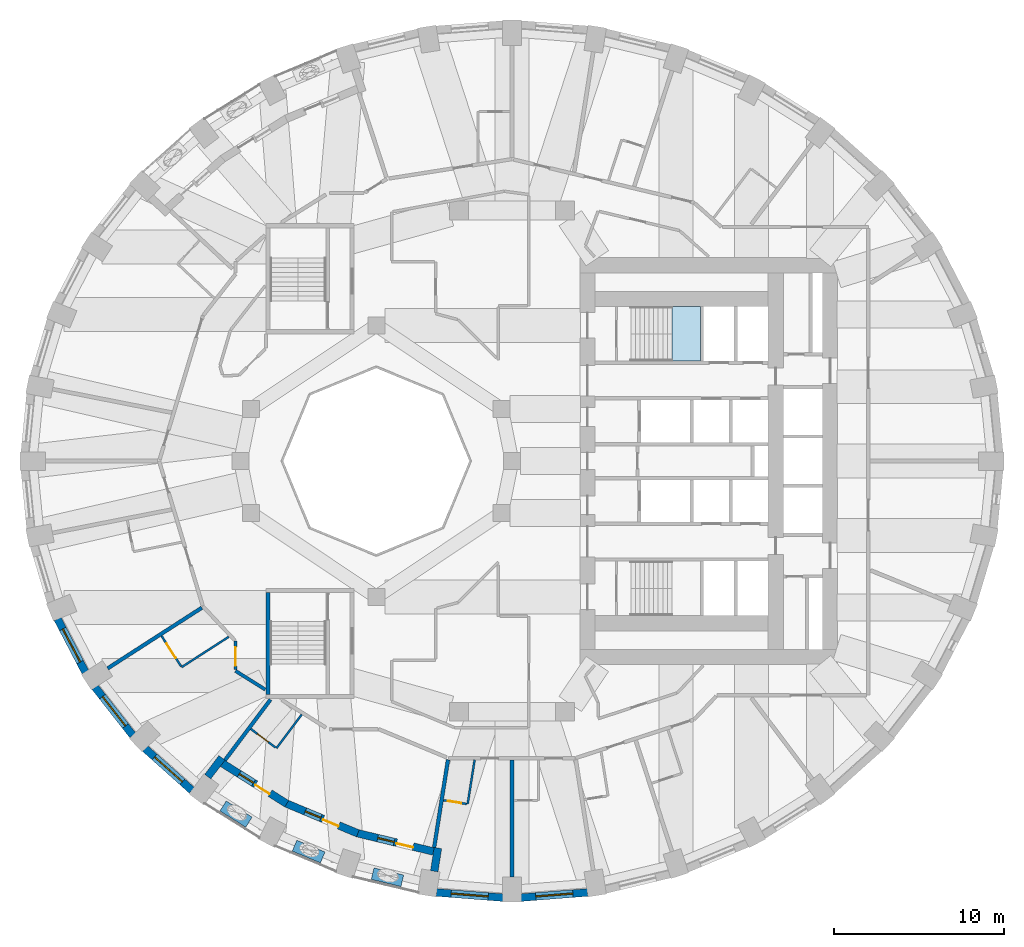
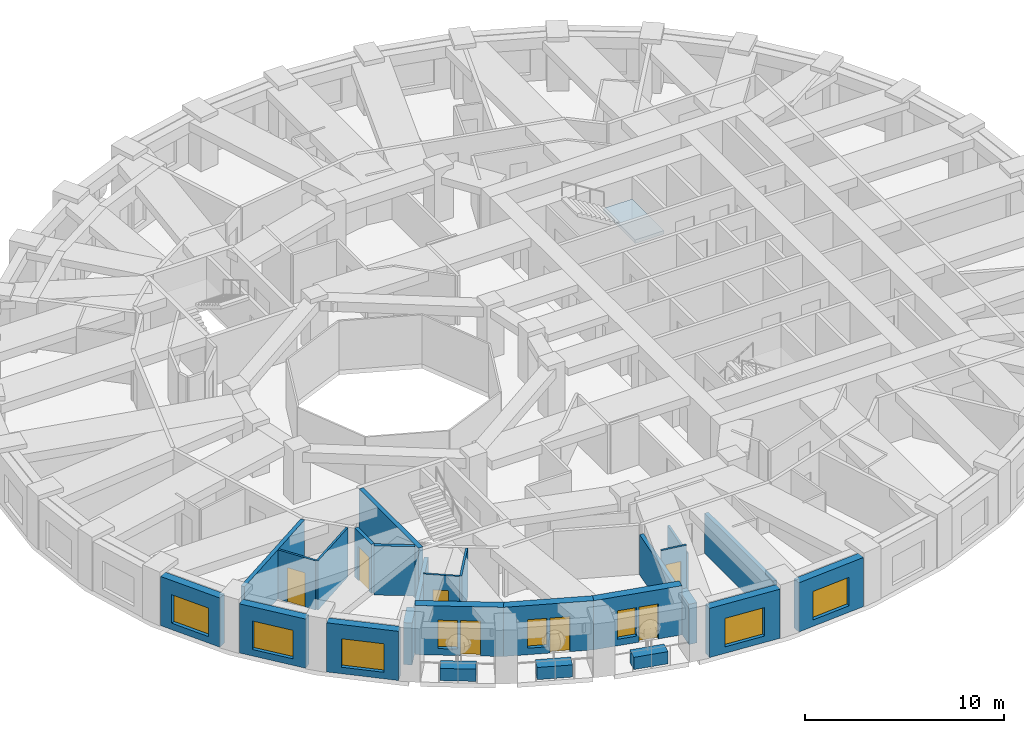
# One storey, part 3 of 13: 26 walls, 8 windows, 7 doors, 1 slab, 15 openings, 1 element without a shape of its own.
"""IFC4 building model written with IfcOpenShell, lengths in metres."""

from ifc_helpers import new_model, si_unit, direction, frame, frame_2d, origin, place, context, subcontext, project, spatial, polyline, rectangle, outline, extrude, material, layer, layer_set, constituent, constituent_set, type_object, element, fill, aggregate, save


model = new_model("IFC4")

# Units and contexts
model_context = context("Model", 3, precision=1e-05, world=origin(), true_north=direction((0.0, 1.0)))
body_context = subcontext(model_context, "Body", "Model", "MODEL_VIEW")
ifc_project = project(units=[si_unit("LENGTHUNIT", "METRE"), si_unit("AREAUNIT", "SQUARE_METRE"), si_unit("VOLUMEUNIT", "CUBIC_METRE"), si_unit("PLANEANGLEUNIT", "RADIAN"), si_unit("MASSUNIT", "GRAM", prefix="KILO")], contexts=[model_context])

# Site, building, storey
site_placement = place(None, origin())
site = spatial("IfcSite", under=ifc_project, at=site_placement, CompositionType="ELEMENT")
building_placement = place(site_placement, origin())
building = spatial("IfcBuilding", under=site, at=building_placement, Name="Taillehof Tower", CompositionType="ELEMENT")
storey_placement = place(building_placement, frame((0.0, 0.0, 44.800048828125)))
storey = spatial("IfcBuildingStorey", under=building, at=storey_placement, Name="L11", CompositionType="ELEMENT", Elevation=44.800048828125)

# Stair, slab
ifc_material_1 = material(Name="Concrete C40/50", Category="concrete")
stair_type = type_object("IfcStairType", Name="Exit stair half-turn", PredefinedType="HALF_TURN_STAIR", material=ifc_material_1)
stair_placement = place(storey_placement, origin())
stair = element("IfcStair", 1, at=stair_placement, inside=storey, type_object=stair_type, Name="Exit stair S1", PredefinedType="HALF_TURN_STAIR")
ifc_material_2 = material(Name="Concrete C40/50", Category="concrete")
ifc_layer_1 = layer(ifc_material_2, 0.2099609375)
ifc_layer_set_1 = layer_set([ifc_layer_1], Name="Stair landing C40/50 210")
slab_type = type_object("IfcSlabType", Name="Stair landing C40/50 210", PredefinedType="LANDING", material=ifc_layer_set_1)
slab_placement = place(storey_placement, frame((0.0, 0.0, 1.43994140625)))
slab = element("IfcSlab", 2, at=slab_placement, type_object=slab_type, Name="S1 landing 1", PredefinedType="LANDING", context=body_context, shape_type="SweptSolid", body=[
    extrude(outline(polyline([(9.429931640625, 5.89990234375), (11.10009765625, 5.89990234375), (11.10009765625, 9.10009765625), (9.429931640625, 9.10009765625), (9.429931640625, 5.89990234375)])), origin(), (0.0, 0.0, 1.0), 0.2099609375),
])
aggregate(stair, [slab])

# Wall, opening, window
ifc_material_3 = material(Name="Brick masonry", Category="masonry")
ifc_layer_2 = layer(ifc_material_3, 0.449951171875)
ifc_layer_set_2 = layer_set([ifc_layer_2], Name="Brick infill wall 450")
wall_type_1 = type_object("IfcWallType", Name="Brick infill wall 450", PredefinedType="SOLIDWALL", material=ifc_layer_set_2)
wall_1_placement = place(storey_placement, frame((-26.78564453125, -9.30517578125, 0.0), z_axis=(0.0, 0.0, 1.0), x_axis=(0.462492775226, -0.886623050041, 0.0)))
wall_1 = element("IfcWall", 3, at=wall_1_placement, inside=storey, type_object=wall_type_1, Name="Brick wall L11 bay 21", PredefinedType="SOLIDWALL", context=body_context, shape_type="SweptSolid", body=[
    extrude(rectangle(XDim=3.531982421875, YDim=0.449951171875, at=frame_2d((1.76611328125, 0.0))), origin(), (0.0, 0.0, 1.0), 3.02001953125),
])
opening_1_placement = place(wall_1_placement, frame((0.666015625, 0.0, 0.39990234375)))
opening_1 = element("IfcOpeningElement", 4, at=opening_1_placement, cuts=wall_1, Name="Opening W1", PredefinedType="OPENING", context=body_context, shape_type="SweptSolid", body=[
    extrude(rectangle(XDim=2.199951171875, YDim=1.75, at=frame_2d((1.10009765625, 0.875))), frame((0.0, 0.23486328125, 0.0), z_axis=(0.0, -1.0, 0.0), x_axis=(1.0, 0.0, 0.0)), (0.0, 0.0, 1.0), 0.469970703125),
])
ifc_material_4 = material(Name="Aluminium window frame with clear double glazing", Category="aluminium")
window_type_1 = type_object("IfcWindowType", Name="Deep-set window 2200x1750", PartitioningType="SINGLE_PANEL", PredefinedType="WINDOW", material=ifc_material_4)
window_1_placement = place(opening_1_placement, origin())
window_1 = element("IfcWindow", 5, at=window_1_placement, inside=storey, type_object=window_type_1, Name="W1", OverallHeight=1.75, OverallWidth=2.199951171875, PartitioningType="SINGLE_PANEL", PredefinedType="WINDOW", context=body_context, shape_type="SweptSolid", body=[
    extrude(rectangle(XDim=2.199951171875, YDim=1.75, at=frame_2d((1.10009765625, 0.875))), frame((0.0, 0.034912109375, 0.0), z_axis=(0.0, -1.0, 0.0), x_axis=(1.0, 0.0, 0.0)), (0.0, 0.0, 1.0), 0.06005859375),
])
fill(opening_1, window_1)

wall_2_placement = place(storey_placement, frame((-24.57763671875, -13.327880859375, 0.0), z_axis=(0.0, 0.0, 1.0), x_axis=(0.616661975264, -0.787228053529, 0.0)))
wall_2 = element("IfcWall", 6, at=wall_2_placement, inside=storey, type_object=wall_type_1, Name="Brick wall L11 bay 22", PredefinedType="SOLIDWALL", context=body_context, shape_type="SweptSolid", body=[
    extrude(rectangle(XDim=3.60986328125, YDim=0.449951171875, at=frame_2d((1.804931640625, 0.0))), origin(), (0.0, 0.0, 1.0), 3.02001953125),
])
opening_2_placement = place(wall_2_placement, frame((0.704833984375, 0.0, 0.39990234375)))
opening_2 = element("IfcOpeningElement", 7, at=opening_2_placement, cuts=wall_2, Name="Opening W1", PredefinedType="OPENING", context=body_context, shape_type="SweptSolid", body=[
    extrude(rectangle(XDim=2.199951171875, YDim=1.75, at=frame_2d((1.10009765625, 0.875))), frame((0.0, 0.23486328125, 0.0), z_axis=(0.0, -1.0, 0.0), x_axis=(1.0, 0.0, 0.0)), (0.0, 0.0, 1.0), 0.469970703125),
])
window_2_placement = place(opening_2_placement, origin())
window_2 = element("IfcWindow", 8, at=window_2_placement, inside=storey, type_object=window_type_1, Name="W1", OverallHeight=1.75, OverallWidth=2.199951171875, PartitioningType="SINGLE_PANEL", PredefinedType="WINDOW", context=body_context, shape_type="SweptSolid", body=[
    extrude(rectangle(XDim=2.199951171875, YDim=1.75, at=frame_2d((1.10009765625, 0.875))), frame((0.0, 0.034912109375, 0.0), z_axis=(0.0, -1.0, 0.0), x_axis=(1.0, 0.0, 0.0)), (0.0, 0.0, 1.0), 0.06005859375),
])
fill(opening_2, window_2)

wall_3_placement = place(storey_placement, frame((-21.626708984375, -16.943115234375, 0.0), z_axis=(0.0, 0.0, 1.0), x_axis=(0.745526233716, -0.66647628228, 0.0)))
wall_3 = element("IfcWall", 9, at=wall_3_placement, inside=storey, type_object=wall_type_1, Name="Brick wall L11 bay 23", PredefinedType="SOLIDWALL", context=body_context, shape_type="SweptSolid", body=[
    extrude(rectangle(XDim=3.69677734375, YDim=0.449951171875, at=frame_2d((1.848388671875, 0.0))), origin(), (0.0, 0.0, 1.0), 3.02001953125),
])
opening_3_placement = place(wall_3_placement, frame((0.74853515625, 0.0, 0.39990234375)))
opening_3 = element("IfcOpeningElement", 10, at=opening_3_placement, cuts=wall_3, Name="Opening W1", PredefinedType="OPENING", context=body_context, shape_type="SweptSolid", body=[
    extrude(rectangle(XDim=2.199951171875, YDim=1.75, at=frame_2d((1.10009765625, 0.875))), frame((0.0, 0.23486328125, 0.0), z_axis=(0.0, -1.0, 0.0), x_axis=(1.0, 0.0, 0.0)), (0.0, 0.0, 1.0), 0.469970703125),
])
window_3_placement = place(opening_3_placement, origin())
window_3 = element("IfcWindow", 11, at=window_3_placement, inside=storey, type_object=window_type_1, Name="W1", OverallHeight=1.75, OverallWidth=2.199951171875, PartitioningType="SINGLE_PANEL", PredefinedType="WINDOW", context=body_context, shape_type="SweptSolid", body=[
    extrude(rectangle(XDim=2.199951171875, YDim=1.75, at=frame_2d((1.10009765625, 0.875))), frame((0.0, 0.034912109375, 0.0), z_axis=(0.0, -1.0, 0.0), x_axis=(1.0, 0.0, 0.0)), (0.0, 0.0, 1.0), 0.06005859375),
])
fill(opening_3, window_3)

wall_4_placement = place(storey_placement, frame((-4.457275390625, -25.42578125, 0.0), z_axis=(0.0, 0.0, 1.0), x_axis=(0.996955972145, -0.077966592873, 0.0)))
wall_4 = element("IfcWall", 12, at=wall_4_placement, inside=storey, type_object=wall_type_1, Name="Brick wall L11 bay 27", PredefinedType="SOLIDWALL", context=body_context, shape_type="SweptSolid", body=[
    extrude(rectangle(XDim=3.939208984375, YDim=0.449951171875, at=frame_2d((1.9697265625, 0.0))), origin(), (0.0, 0.0, 1.0), 3.02001953125),
])
opening_4_placement = place(wall_4_placement, frame((0.86962890625, 0.0, 0.39990234375)))
opening_4 = element("IfcOpeningElement", 13, at=opening_4_placement, cuts=wall_4, Name="Opening W1", PredefinedType="OPENING", context=body_context, shape_type="SweptSolid", body=[
    extrude(rectangle(XDim=2.199951171875, YDim=1.75, at=frame_2d((1.10009765625, 0.875))), frame((0.0, 0.23486328125, 0.0), z_axis=(0.0, -1.0, 0.0), x_axis=(1.0, 0.0, 0.0)), (0.0, 0.0, 1.0), 0.469970703125),
])
window_4_placement = place(opening_4_placement, origin())
window_4 = element("IfcWindow", 14, at=window_4_placement, inside=storey, type_object=window_type_1, Name="W1", OverallHeight=1.75, OverallWidth=2.199951171875, PartitioningType="SINGLE_PANEL", PredefinedType="WINDOW", context=body_context, shape_type="SweptSolid", body=[
    extrude(rectangle(XDim=2.199951171875, YDim=1.75, at=frame_2d((1.10009765625, 0.875))), frame((0.0, 0.034912109375, 0.0), z_axis=(0.0, -1.0, 0.0), x_axis=(1.0, 0.0, 0.0)), (0.0, 0.0, 1.0), 0.06005859375),
])
fill(opening_4, window_4)

wall_5_placement = place(storey_placement, frame((0.530029296875, -25.73291015625, 0.0), z_axis=(0.0, 0.0, 1.0), x_axis=(0.996955972145, 0.077966592873, 0.0)))
wall_5 = element("IfcWall", 15, at=wall_5_placement, inside=storey, type_object=wall_type_1, Name="Brick wall L11 bay 28", PredefinedType="SOLIDWALL", context=body_context, shape_type="SweptSolid", body=[
    extrude(rectangle(XDim=3.939208984375, YDim=0.449951171875, at=frame_2d((1.9697265625, 0.0))), origin(), (0.0, 0.0, 1.0), 3.02001953125),
])
opening_5_placement = place(wall_5_placement, frame((0.86962890625, 0.0, 0.39990234375)))
opening_5 = element("IfcOpeningElement", 16, at=opening_5_placement, cuts=wall_5, Name="Opening W1", PredefinedType="OPENING", context=body_context, shape_type="SweptSolid", body=[
    extrude(rectangle(XDim=2.199951171875, YDim=1.75, at=frame_2d((1.10009765625, 0.875))), frame((0.0, 0.23486328125, 0.0), z_axis=(0.0, -1.0, 0.0), x_axis=(1.0, 0.0, 0.0)), (0.0, 0.0, 1.0), 0.469970703125),
])
window_5_placement = place(opening_5_placement, origin())
window_5 = element("IfcWindow", 17, at=window_5_placement, inside=storey, type_object=window_type_1, Name="W1", OverallHeight=1.75, OverallWidth=2.199951171875, PartitioningType="SINGLE_PANEL", PredefinedType="WINDOW", context=body_context, shape_type="SweptSolid", body=[
    extrude(rectangle(XDim=2.199951171875, YDim=1.75, at=frame_2d((1.10009765625, 0.875))), frame((0.0, 0.034912109375, 0.0), z_axis=(0.0, -1.0, 0.0), x_axis=(1.0, 0.0, 0.0)), (0.0, 0.0, 1.0), 0.06005859375),
])
fill(opening_5, window_5)

# Walls
wall_6_placement = place(storey_placement, frame((-17.931640625, -18.60009765625, 0.0), z_axis=(0.0, 0.0, 1.0), x_axis=(0.601262851241, 0.799051302306, 0.0)))
element("IfcWall", 18, at=wall_6_placement, inside=storey, type_object=wall_type_1, Name="Brick reveal L11 pocket 7", PredefinedType="SOLIDWALL", context=body_context, shape_type="SweptSolid", body=[
    extrude(rectangle(XDim=1.39111328125, YDim=0.449951171875, at=frame_2d((0.695556640625, 0.0))), origin(), (0.0, 0.0, 1.0), 2.570068359375),
])
wall_7_placement = place(storey_placement, frame((-4.58251953125, -24.178466796875, 0.0), z_axis=(0.0, 0.0, 1.0), x_axis=(0.156133927791, 0.98773589415, 0.0)))
element("IfcWall", 19, at=wall_7_placement, inside=storey, type_object=wall_type_1, Name="Brick reveal L11 pocket 7", PredefinedType="SOLIDWALL", context=body_context, shape_type="SweptSolid", body=[
    extrude(rectangle(XDim=1.39013671875, YDim=0.449951171875, at=frame_2d((0.695068359375, 0.0))), origin(), (0.0, 0.0, 1.0), 2.469970703125),
])

# Wall, openings, door, window
wall_8_placement = place(storey_placement, frame((-17.062255859375, -17.81884765625, 0.0), z_axis=(0.0, 0.0, 1.0), x_axis=(0.846990101364, -0.531608660757, 0.0)))
wall_8 = element("IfcWall", 20, at=wall_8_placement, inside=storey, type_object=wall_type_1, Name="Brick wall L11 pocket bay 24", PredefinedType="SOLIDWALL", context=body_context, shape_type="SweptSolid", body=[
    extrude(rectangle(XDim=4.468994140625, YDim=0.449951171875, at=frame_2d((2.234375, 0.0))), origin(), (0.0, 0.0, 1.0), 3.02001953125),
])
opening_6_placement = place(wall_8_placement, frame((1.159423828125, 0.0, 0.39990234375)))
opening_6 = element("IfcOpeningElement", 21, at=opening_6_placement, cuts=wall_8, Name="Opening W5", PredefinedType="OPENING", context=body_context, shape_type="SweptSolid", body=[
    extrude(rectangle(XDim=1.0, YDim=1.75, at=frame_2d((0.5, 0.875))), frame((0.0, 0.23486328125, 0.0), z_axis=(0.0, -1.0, 0.0), x_axis=(1.0, 0.0, 0.0)), (0.0, 0.0, 1.0), 0.469970703125),
])
opening_7_placement = place(wall_8_placement, frame((2.3095703125, 0.0, 0.0)))
opening_7 = element("IfcOpeningElement", 22, at=opening_7_placement, cuts=wall_8, Name="Opening D1191", PredefinedType="OPENING", context=body_context, shape_type="SweptSolid", body=[
    extrude(rectangle(XDim=1.0, YDim=2.14990234375, at=frame_2d((0.5, 1.074951171875))), frame((0.0, 0.23486328125, 0.0), z_axis=(0.0, -1.0, 0.0), x_axis=(1.0, 0.0, 0.0)), (0.0, 0.0, 1.0), 0.469970703125),
])
ifc_material_5 = material(Name="Aluminium door frame with clear double glazing", Category="aluminium")
door_type_1 = type_object("IfcDoorType", Name="Balcony door 1000x2150", OperationType="SINGLE_SWING_RIGHT", PredefinedType="DOOR", material=ifc_material_5)
door_1_placement = place(opening_7_placement, frame((1.0, 0.0, 0.0), z_axis=(0.0, 0.0, 1.0), x_axis=(-1.0, 0.0, 0.0)))
door_1 = element("IfcDoor", 23, at=door_1_placement, inside=storey, type_object=door_type_1, Name="Balcony door L11 bay 24", OperationType="SINGLE_SWING_RIGHT", OverallHeight=2.14990234375, OverallWidth=1.0, PredefinedType="DOOR", context=body_context, shape_type="SweptSolid", body=[
    extrude(rectangle(XDim=1.0, YDim=2.14990234375, at=frame_2d((0.5, 1.074951171875))), frame((0.0, 0.0751953125, 0.0), z_axis=(0.0, -1.0, 0.0), x_axis=(1.0, 0.0, 0.0)), (0.0, 0.0, 1.0), 0.050048828125),
])
fill(opening_7, door_1)
ifc_material_6 = material(Name="Aluminium window frame with clear double glazing", Category="aluminium")
window_type_2 = type_object("IfcWindowType", Name="Fixed window 1000x1750", PartitioningType="SINGLE_PANEL", PredefinedType="WINDOW", material=ifc_material_6)
window_6_placement = place(opening_6_placement, origin())
window_6 = element("IfcWindow", 24, at=window_6_placement, inside=storey, type_object=window_type_2, Name="W5", OverallHeight=1.75, OverallWidth=1.0, PartitioningType="SINGLE_PANEL", PredefinedType="WINDOW", context=body_context, shape_type="SweptSolid", body=[
    extrude(rectangle(XDim=1.0, YDim=1.75, at=frame_2d((0.5, 0.875))), frame((0.0, 0.034912109375, 0.0), z_axis=(0.0, -1.0, 0.0), x_axis=(1.0, 0.0, 0.0)), (0.0, 0.0, 1.0), 0.06005859375),
])
fill(opening_6, window_6)

wall_9_placement = place(storey_placement, frame((-13.31005859375, -20.177734375, 0.0), z_axis=(0.0, 0.0, 1.0), x_axis=(0.922634412489, -0.385675693935, 0.0)))
wall_9 = element("IfcWall", 25, at=wall_9_placement, inside=storey, type_object=wall_type_1, Name="Brick wall L11 pocket bay 25", PredefinedType="SOLIDWALL", context=body_context, shape_type="SweptSolid", body=[
    extrude(rectangle(XDim=4.57666015625, YDim=0.449951171875, at=frame_2d((2.288330078125, 0.0))), origin(), (0.0, 0.0, 1.0), 3.02001953125),
])
opening_8_placement = place(wall_9_placement, frame((1.21337890625, 0.0, 0.39990234375)))
opening_8 = element("IfcOpeningElement", 26, at=opening_8_placement, cuts=wall_9, Name="Opening W5", PredefinedType="OPENING", context=body_context, shape_type="SweptSolid", body=[
    extrude(rectangle(XDim=1.0, YDim=1.75, at=frame_2d((0.5, 0.875))), frame((0.0, 0.23486328125, 0.0), z_axis=(0.0, -1.0, 0.0), x_axis=(1.0, 0.0, 0.0)), (0.0, 0.0, 1.0), 0.469970703125),
])
opening_9_placement = place(wall_9_placement, frame((2.36328125, 0.0, 0.0)))
opening_9 = element("IfcOpeningElement", 27, at=opening_9_placement, cuts=wall_9, Name="Opening D1192", PredefinedType="OPENING", context=body_context, shape_type="SweptSolid", body=[
    extrude(rectangle(XDim=1.0, YDim=2.14990234375, at=frame_2d((0.5, 1.074951171875))), frame((0.0, 0.23486328125, 0.0), z_axis=(0.0, -1.0, 0.0), x_axis=(1.0, 0.0, 0.0)), (0.0, 0.0, 1.0), 0.469970703125),
])
door_2_placement = place(opening_9_placement, frame((1.0, 0.0, 0.0), z_axis=(0.0, 0.0, 1.0), x_axis=(-1.0, 0.0, 0.0)))
door_2 = element("IfcDoor", 28, at=door_2_placement, inside=storey, type_object=door_type_1, Name="Balcony door L11 bay 25", OperationType="SINGLE_SWING_LEFT", OverallHeight=2.14990234375, OverallWidth=1.0, PredefinedType="DOOR", context=body_context, shape_type="SweptSolid", body=[
    extrude(rectangle(XDim=1.0, YDim=2.14990234375, at=frame_2d((0.5, 1.074951171875))), frame((0.0, 0.0751953125, 0.0), z_axis=(0.0, -1.0, 0.0), x_axis=(1.0, 0.0, 0.0)), (0.0, 0.0, 1.0), 0.050048828125),
])
fill(opening_9, door_2)
window_7_placement = place(opening_8_placement, origin())
window_7 = element("IfcWindow", 29, at=window_7_placement, inside=storey, type_object=window_type_2, Name="W5", OverallHeight=1.75, OverallWidth=1.0, PartitioningType="SINGLE_PANEL", PredefinedType="WINDOW", context=body_context, shape_type="SweptSolid", body=[
    extrude(rectangle(XDim=1.0, YDim=1.75, at=frame_2d((0.5, 0.875))), frame((0.0, 0.034912109375, 0.0), z_axis=(0.0, -1.0, 0.0), x_axis=(1.0, 0.0, 0.0)), (0.0, 0.0, 1.0), 0.06005859375),
])
fill(opening_8, window_7)

wall_10_placement = place(storey_placement, frame((-9.12158203125, -21.931640625, 0.0), z_axis=(0.0, 0.0, 1.0), x_axis=(0.972346547441, -0.233542697764, 0.0)))
wall_10 = element("IfcWall", 30, at=wall_10_placement, inside=storey, type_object=wall_type_1, Name="Brick wall L11 pocket bay 26", PredefinedType="SOLIDWALL", context=body_context, shape_type="SweptSolid", body=[
    extrude(rectangle(XDim=4.623779296875, YDim=0.449951171875, at=frame_2d((2.31201171875, 0.0))), origin(), (0.0, 0.0, 1.0), 3.02001953125),
])
opening_10_placement = place(wall_10_placement, frame((1.23681640625, 0.0, 0.39990234375)))
opening_10 = element("IfcOpeningElement", 31, at=opening_10_placement, cuts=wall_10, Name="Opening W5", PredefinedType="OPENING", context=body_context, shape_type="SweptSolid", body=[
    extrude(rectangle(XDim=1.0, YDim=1.75, at=frame_2d((0.5, 0.875))), frame((0.0, 0.23486328125, 0.0), z_axis=(0.0, -1.0, 0.0), x_axis=(1.0, 0.0, 0.0)), (0.0, 0.0, 1.0), 0.469970703125),
])
opening_11_placement = place(wall_10_placement, frame((2.38671875, 0.0, 0.0)))
opening_11 = element("IfcOpeningElement", 32, at=opening_11_placement, cuts=wall_10, Name="Opening D1193", PredefinedType="OPENING", context=body_context, shape_type="SweptSolid", body=[
    extrude(rectangle(XDim=1.0, YDim=2.14990234375, at=frame_2d((0.5, 1.074951171875))), frame((0.0, 0.23486328125, 0.0), z_axis=(0.0, -1.0, 0.0), x_axis=(1.0, 0.0, 0.0)), (0.0, 0.0, 1.0), 0.469970703125),
])
door_3_placement = place(opening_11_placement, frame((1.0, 0.0, 0.0), z_axis=(0.0, 0.0, 1.0), x_axis=(-1.0, 0.0, 0.0)))
door_3 = element("IfcDoor", 33, at=door_3_placement, inside=storey, type_object=door_type_1, Name="Balcony door L11 bay 26", OperationType="SINGLE_SWING_LEFT", OverallHeight=2.14990234375, OverallWidth=1.0, PredefinedType="DOOR", context=body_context, shape_type="SweptSolid", body=[
    extrude(rectangle(XDim=1.0, YDim=2.14990234375, at=frame_2d((0.5, 1.074951171875))), frame((0.0, 0.0751953125, 0.0), z_axis=(0.0, -1.0, 0.0), x_axis=(1.0, 0.0, 0.0)), (0.0, 0.0, 1.0), 0.050048828125),
])
fill(opening_11, door_3)
window_8_placement = place(opening_10_placement, origin())
window_8 = element("IfcWindow", 34, at=window_8_placement, inside=storey, type_object=window_type_2, Name="W5", OverallHeight=1.75, OverallWidth=1.0, PartitioningType="SINGLE_PANEL", PredefinedType="WINDOW", context=body_context, shape_type="SweptSolid", body=[
    extrude(rectangle(XDim=1.0, YDim=1.75, at=frame_2d((0.5, 0.875))), frame((0.0, 0.034912109375, 0.0), z_axis=(0.0, -1.0, 0.0), x_axis=(1.0, 0.0, 0.0)), (0.0, 0.0, 1.0), 0.06005859375),
])
fill(opening_10, window_8)

# Wall
ifc_material_7 = material(Name="Gypsum board on steel studs, two layers each side", Category="steel")
ifc_layer_3 = layer(ifc_material_7, 0.199951171875)
ifc_layer_set_3 = layer_set([ifc_layer_3], Name="Compartment wall corridor 200")
wall_type_2 = type_object("IfcWallType", Name="Compartment wall corridor 200", PredefinedType="PARTITIONING", material=ifc_layer_set_3)
wall_11_placement = place(storey_placement, frame((-14.544677734375, -13.46630859375, 0.0), z_axis=(0.0, 0.0, 1.0), x_axis=(-0.846977572949, 0.53162862124, 0.0)))
element("IfcWall", 35, at=wall_11_placement, inside=storey, type_object=wall_type_2, Name="Compartment wall", PredefinedType="PARTITIONING", context=body_context, shape_type="SweptSolid", body=[
    extrude(rectangle(XDim=2.072509765625, YDim=0.199951171875, at=frame_2d((1.0361328125, 0.0))), origin(), (0.0, 0.0, 1.0), 3.02001953125),
])

# Wall, opening, door
wall_12_placement = place(storey_placement, frame((-16.300048828125, -12.284423828125, 0.0), z_axis=(0.0, 0.0, 1.0), x_axis=(0.0, 1.0, 0.0)))
wall_12 = element("IfcWall", 36, at=wall_12_placement, inside=storey, type_object=wall_type_2, Name="Compartment wall", PredefinedType="PARTITIONING", context=body_context, shape_type="SweptSolid", body=[
    extrude(rectangle(XDim=1.677978515625, YDim=0.199951171875, at=frame_2d((0.8388671875, 0.0))), origin(), (0.0, 0.0, 1.0), 3.02001953125),
])
opening_12_placement = place(wall_12_placement, frame((0.219970703125, 0.0, 0.0)))
opening_12 = element("IfcOpeningElement", 37, at=opening_12_placement, cuts=wall_12, Name="Opening D1154", PredefinedType="OPENING", context=body_context, shape_type="SweptSolid", body=[
    extrude(rectangle(XDim=1.10009765625, YDim=2.10009765625, at=frame_2d((0.550048828125, 1.050048828125))), frame((0.0, 0.10986328125, 0.0), z_axis=(0.0, -1.0, 0.0), x_axis=(1.0, 0.0, 0.0)), (0.0, 0.0, 1.0), 0.219970703125),
])
ifc_material_8 = material(Name="Timber door leaf in steel frame", Category="steel")
door_type_2 = type_object("IfcDoorType", Name="Accessible guest room door EI 30 1100 x 2100", OperationType="SINGLE_SWING_LEFT", PredefinedType="DOOR", material=ifc_material_8)
door_4_placement = place(opening_12_placement, origin())
door_4 = element("IfcDoor", 38, at=door_4_placement, inside=storey, type_object=door_type_2, Name="D1154", OperationType="SINGLE_SWING_RIGHT", OverallHeight=2.10009765625, OverallWidth=1.10009765625, PredefinedType="DOOR", context=body_context, shape_type="SweptSolid", body=[
    extrude(rectangle(XDim=1.10009765625, YDim=2.10009765625, at=frame_2d((0.550048828125, 1.050048828125))), frame((0.0, 0.02490234375, 0.0), z_axis=(0.0, -1.0, 0.0), x_axis=(1.0, 0.0, 0.0)), (0.0, 0.0, 1.0), 0.050048828125),
])
fill(opening_12, door_4)

# Walls
ifc_material_9 = material(Name="Gypsum board on double steel studs with mineral wool", Category="steel")
ifc_layer_4 = layer(ifc_material_9, 0.219970703125)
ifc_layer_set_4 = layer_set([ifc_layer_4], Name="Compartment wall guest room 220")
wall_type_3 = type_object("IfcWallType", Name="Compartment wall guest room 220", PredefinedType="PARTITIONING", material=ifc_layer_set_4)
wall_13_placement = place(storey_placement, frame((-23.834716796875, -12.218994140625, 0.0), z_axis=(0.0, 0.0, 1.0), x_axis=(0.840757959101, 0.541411169268, 0.0)))
element("IfcWall", 39, at=wall_13_placement, inside=storey, type_object=wall_type_3, Name="Compartment wall", PredefinedType="PARTITIONING", context=body_context, shape_type="SweptSolid", body=[
    extrude(rectangle(XDim=6.606201171875, YDim=0.219970703125, at=frame_2d((3.30322265625, 0.0))), origin(), (0.0, 0.0, 1.0), 3.02001953125),
])
wall_14_placement = place(storey_placement, frame((-16.926513671875, -17.638427734375, 0.0), z_axis=(0.0, 0.0, 1.0), x_axis=(0.601158965663, 0.799129462605, 0.0)))
element("IfcWall", 40, at=wall_14_placement, inside=storey, type_object=wall_type_3, Name="Compartment wall", PredefinedType="PARTITIONING", context=body_context, shape_type="SweptSolid", body=[
    extrude(rectangle(XDim=4.480224609375, YDim=0.219970703125, at=frame_2d((2.240234375, 0.0))), origin(), (0.0, 0.0, 1.0), 2.570068359375),
])
wall_15_placement = place(storey_placement, frame((-4.590576171875, -22.78857421875, 0.0), z_axis=(0.0, 0.0, 1.0), x_axis=(0.156110671429, 0.987739570062, 0.0)))
element("IfcWall", 41, at=wall_15_placement, inside=storey, type_object=wall_type_3, Name="Compartment wall", PredefinedType="PARTITIONING", context=body_context, shape_type="SweptSolid", body=[
    extrude(rectangle(XDim=5.24853515625, YDim=0.219970703125, at=frame_2d((2.624267578125, 0.0))), origin(), (0.0, 0.0, 1.0), 2.469970703125),
])
wall_16_placement = place(storey_placement, frame((0.0, -24.5, 0.0), z_axis=(0.0, 0.0, 1.0), x_axis=(0.0, 1.0, 0.0)))
element("IfcWall", 42, at=wall_16_placement, inside=storey, type_object=wall_type_3, Name="Compartment wall", PredefinedType="PARTITIONING", context=body_context, shape_type="SweptSolid", body=[
    extrude(rectangle(XDim=6.894287109375, YDim=0.219970703125, at=frame_2d((3.447265625, 0.0))), origin(), (0.0, 0.0, 1.0), 2.469970703125),
])
ifc_material_10 = material(Name="Gypsum board on steel studs, moisture resistant", Category="steel")
ifc_layer_5 = layer(ifc_material_10, 0.1201171875)
ifc_layer_set_5 = layer_set([ifc_layer_5], Name="En-suite wall 120")
wall_type_4 = type_object("IfcWallType", Name="En-suite wall 120", PredefinedType="PARTITIONING", material=ifc_layer_set_5)
wall_17_placement = place(storey_placement, frame((-16.697265625, -10.358154296875, 0.0), z_axis=(0.0, 0.0, 1.0), x_axis=(-0.84073116979, -0.541452768156, 0.0)))
element("IfcWall", 43, at=wall_17_placement, inside=storey, type_object=wall_type_4, Name="En-suite wall", PredefinedType="PARTITIONING", context=body_context, shape_type="SweptSolid", body=[
    extrude(rectangle(XDim=3.300537109375, YDim=0.1201171875, at=frame_2d((1.650390625, 0.0))), origin(), (0.0, 0.0, 1.0), 3.02001953125),
])
wall_18_placement = place(storey_placement, frame((-12.390869140625, -14.936279296875, 0.0), z_axis=(0.0, 0.0, 1.0), x_axis=(-0.601209195786, -0.799091673654, 0.0)))
element("IfcWall", 44, at=wall_18_placement, inside=storey, type_object=wall_type_4, Name="En-suite wall", PredefinedType="PARTITIONING", context=body_context, shape_type="SweptSolid", body=[
    extrude(rectangle(XDim=2.486083984375, YDim=0.1201171875, at=frame_2d((1.2431640625, 0.0))), origin(), (0.0, 0.0, 1.0), 3.02001953125),
])
wall_19_placement = place(storey_placement, frame((-2.201904296875, -17.605712890625, 0.0), z_axis=(0.0, 0.0, 1.0), x_axis=(-0.156156996107, -0.987732247407, 0.0)))
element("IfcWall", 45, at=wall_19_placement, inside=storey, type_object=wall_type_4, Name="En-suite wall", PredefinedType="PARTITIONING", context=body_context, shape_type="SweptSolid", body=[
    extrude(rectangle(XDim=2.643798828125, YDim=0.1201171875, at=frame_2d((1.32177734375, 0.0))), origin(), (0.0, 0.0, 1.0), 2.469970703125),
])

# Wall, opening, door
wall_20_placement = place(storey_placement, frame((-19.50439453125, -12.0947265625, 0.0), z_axis=(0.0, 0.0, 1.0), x_axis=(-0.541591545821, 0.840641777153, 0.0)))
wall_20 = element("IfcWall", 46, at=wall_20_placement, inside=storey, type_object=wall_type_4, Name="En-suite wall", PredefinedType="PARTITIONING", context=body_context, shape_type="SweptSolid", body=[
    extrude(rectangle(XDim=2.1298828125, YDim=0.1201171875, at=frame_2d((1.06494140625, 0.0))), origin(), (0.0, 0.0, 1.0), 3.02001953125),
])
opening_13_placement = place(wall_20_placement, frame((0.590087890625, 0.0, 0.0)))
opening_13 = element("IfcOpeningElement", 47, at=opening_13_placement, cuts=wall_20, Name="Opening D1155", PredefinedType="OPENING", context=body_context, shape_type="SweptSolid", body=[
    extrude(rectangle(XDim=1.0, YDim=2.10009765625, at=frame_2d((0.5, 1.050048828125))), frame((0.0, 0.070068359375, 0.0), z_axis=(0.0, -1.0, 0.0), x_axis=(1.0, 0.0, 0.0)), (0.0, 0.0, 1.0), 0.14013671875),
])
ifc_material_11 = material(Name="Timber door leaf in steel frame", Category="steel")
door_type_3 = type_object("IfcDoorType", Name="Accessible en-suite door 1000 x 2100", OperationType="SINGLE_SWING_LEFT", PredefinedType="DOOR", material=ifc_material_11)
door_5_placement = place(opening_13_placement, origin())
door_5 = element("IfcDoor", 48, at=door_5_placement, inside=storey, type_object=door_type_3, Name="D1155", OperationType="SINGLE_SWING_RIGHT", OverallHeight=2.10009765625, OverallWidth=1.0, PredefinedType="DOOR", context=body_context, shape_type="SweptSolid", body=[
    extrude(rectangle(XDim=1.0, YDim=2.10009765625, at=frame_2d((0.5, 1.050048828125))), frame((0.0, 0.02490234375, 0.0), z_axis=(0.0, -1.0, 0.0), x_axis=(1.0, 0.0, 0.0)), (0.0, 0.0, 1.0), 0.050048828125),
])
fill(opening_13, door_5)

wall_21_placement = place(storey_placement, frame((-13.933349609375, -16.88671875, 0.0), z_axis=(0.0, 0.0, 1.0), x_axis=(-0.799134663307, 0.601152052231, 0.0)))
wall_21 = element("IfcWall", 49, at=wall_21_placement, inside=storey, type_object=wall_type_4, Name="En-suite wall", PredefinedType="PARTITIONING", context=body_context, shape_type="SweptSolid", body=[
    extrude(rectangle(XDim=1.830078125, YDim=0.1201171875, at=frame_2d((0.9150390625, 0.0))), origin(), (0.0, 0.0, 1.0), 3.02001953125),
])
opening_14_placement = place(wall_21_placement, frame((0.5400390625, 0.0, 0.0)))
opening_14 = element("IfcOpeningElement", 50, at=opening_14_placement, cuts=wall_21, Name="Opening D1157", PredefinedType="OPENING", context=body_context, shape_type="SweptSolid", body=[
    extrude(rectangle(XDim=0.800048828125, YDim=2.10009765625, at=frame_2d((0.39990234375, 1.050048828125))), frame((0.0, 0.070068359375, 0.0), z_axis=(0.0, -1.0, 0.0), x_axis=(1.0, 0.0, 0.0)), (0.0, 0.0, 1.0), 0.14013671875),
])
ifc_material_12 = material(Name="Timber door leaf in steel frame", Category="steel")
door_type_4 = type_object("IfcDoorType", Name="En-suite door 800 x 2100", OperationType="SINGLE_SWING_LEFT", PredefinedType="DOOR", material=ifc_material_12)
door_6_placement = place(opening_14_placement, origin())
door_6 = element("IfcDoor", 51, at=door_6_placement, inside=storey, type_object=door_type_4, Name="D1157", OperationType="SINGLE_SWING_RIGHT", OverallHeight=2.10009765625, OverallWidth=0.800048828125, PredefinedType="DOOR", context=body_context, shape_type="SweptSolid", body=[
    extrude(rectangle(XDim=0.800048828125, YDim=2.10009765625, at=frame_2d((0.39990234375, 1.050048828125))), frame((0.0, 0.02490234375, 0.0), z_axis=(0.0, -1.0, 0.0), x_axis=(1.0, 0.0, 0.0)), (0.0, 0.0, 1.0), 0.050048828125),
])
fill(opening_14, door_6)

wall_22_placement = place(storey_placement, frame((-2.674072265625, -20.207763671875, 0.0), z_axis=(0.0, 0.0, 1.0), x_axis=(-0.987695455518, 0.156389536571, 0.0)))
wall_22 = element("IfcWall", 52, at=wall_22_placement, inside=storey, type_object=wall_type_4, Name="En-suite wall", PredefinedType="PARTITIONING", context=body_context, shape_type="SweptSolid", body=[
    extrude(rectangle(XDim=1.380126953125, YDim=0.1201171875, at=frame_2d((0.68994140625, 0.0))), origin(), (0.0, 0.0, 1.0), 3.02001953125),
])
opening_15_placement = place(wall_22_placement, frame((0.31494140625, 0.0, 0.0)))
opening_15 = element("IfcOpeningElement", 53, at=opening_15_placement, cuts=wall_22, Name="Opening D1159", PredefinedType="OPENING", context=body_context, shape_type="SweptSolid", body=[
    extrude(rectangle(XDim=0.800048828125, YDim=2.10009765625, at=frame_2d((0.39990234375, 1.050048828125))), frame((0.0, 0.070068359375, 0.0), z_axis=(0.0, -1.0, 0.0), x_axis=(1.0, 0.0, 0.0)), (0.0, 0.0, 1.0), 0.14013671875),
])
door_7_placement = place(opening_15_placement, origin())
door_7 = element("IfcDoor", 54, at=door_7_placement, inside=storey, type_object=door_type_4, Name="D1159", OperationType="SINGLE_SWING_RIGHT", OverallHeight=2.10009765625, OverallWidth=0.800048828125, PredefinedType="DOOR", context=body_context, shape_type="SweptSolid", body=[
    extrude(rectangle(XDim=0.800048828125, YDim=2.10009765625, at=frame_2d((0.39990234375, 1.050048828125))), frame((0.0, 0.02490234375, 0.0), z_axis=(0.0, -1.0, 0.0), x_axis=(1.0, 0.0, 0.0)), (0.0, 0.0, 1.0), 0.050048828125),
])
fill(opening_15, door_7)

# Walls
ifc_material_13 = material(Name="Concrete C30/37 precast", Category="concrete")
ifc_constituent_1 = constituent(ifc_material_13, Name="Structure", Category="concrete")
ifc_material_14 = material(Name="Insulated lining")
ifc_constituent_2 = constituent(ifc_material_14, Name="Lining")
ifc_constituent_set = constituent_set(constituents=[ifc_constituent_1, ifc_constituent_2], Name="Planter trough 700x750")
wall_type_5 = type_object("IfcWallType", Name="Planter trough 700x750", PredefinedType="USERDEFINED", material=ifc_constituent_set)
wall_23_placement = place(storey_placement, frame((-17.03173828125, -20.327880859375, 0.0), z_axis=(0.0, 0.0, 1.0), x_axis=(0.847609446823, -0.530620604252, 0.0)))
element("IfcWall", 55, at=wall_23_placement, inside=storey, type_object=wall_type_5, Name="Planter L11 bay 24", ObjectType="PLANTER", PredefinedType="USERDEFINED", context=body_context, shape_type="SweptSolid", body=[
    extrude(rectangle(XDim=1.7998046875, YDim=0.699951171875, at=frame_2d((0.89990234375, 0.0))), origin(), (0.0, 0.0, 1.0), 0.75),
])
for number, where, z_axis, x_axis, name in (
    (56, (-12.816650390625, -22.669677734375, 0.0), (0.0, 0.0, 1.0), (0.923000660042, -0.384798364811, 0.0), "Planter L11 bay 25"),
    (57, (-8.215087890625, -24.318115234375, 0.0), (0.0, 0.0, 1.0), (0.972504142103, -0.232885580473, 0.0), "Planter L11 bay 26"),
):
    element("IfcWall", number, at=place(storey_placement, frame(where, z_axis=z_axis, x_axis=x_axis)), inside=storey, type_object=wall_type_5, Name=name, ObjectType="PLANTER", PredefinedType="USERDEFINED", context=body_context, shape_type="SweptSolid", body=[
        extrude(rectangle(XDim=1.800048828125, YDim=0.699951171875, at=frame_2d((0.89990234375, 0.0))), origin(), (0.0, 0.0, 1.0), 0.75),
    ])
ifc_material_15 = material(Name="Concrete C50/60", Category="concrete")
ifc_layer_6 = layer(ifc_material_15, 0.25)
ifc_layer_set_6 = layer_set([ifc_layer_6], Name="Stair wall C50/60 250")
wall_type_6 = type_object("IfcWallType", Name="Stair wall C50/60 250", PredefinedType="SHEAR", material=ifc_layer_set_6)
wall_24_placement = place(storey_placement, frame((-14.375, -13.75, -0.280029296875), z_axis=(0.0, 0.0, 1.0), x_axis=(0.0, 1.0, 0.0)))
element("IfcWall", 58, at=wall_24_placement, inside=storey, type_object=wall_type_6, Name="Stair wall SC", PredefinedType="SHEAR", context=body_context, shape_type="SweptSolid", body=[
    extrude(rectangle(XDim=6.0, YDim=0.25, at=frame_2d((3.0, 0.0))), origin(), (0.0, 0.0, 1.0), 3.300048828125),
])

save(model, "model.ifc")
